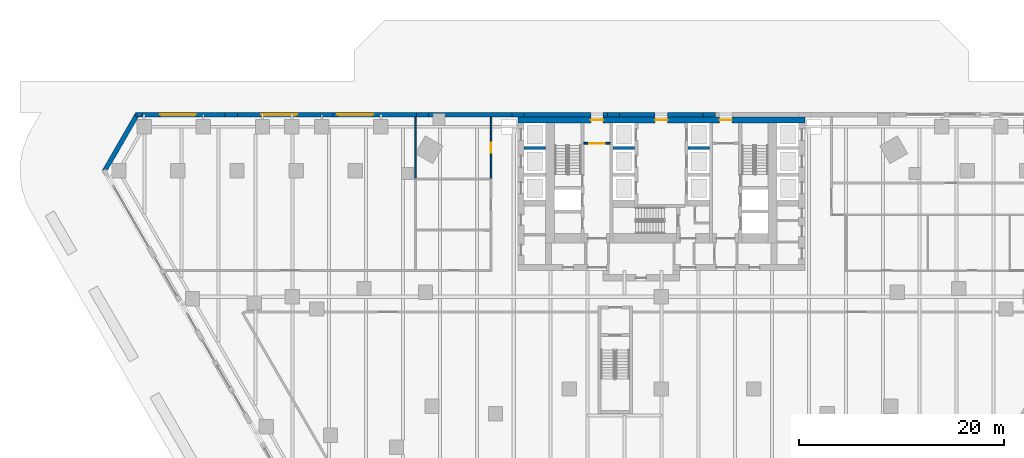
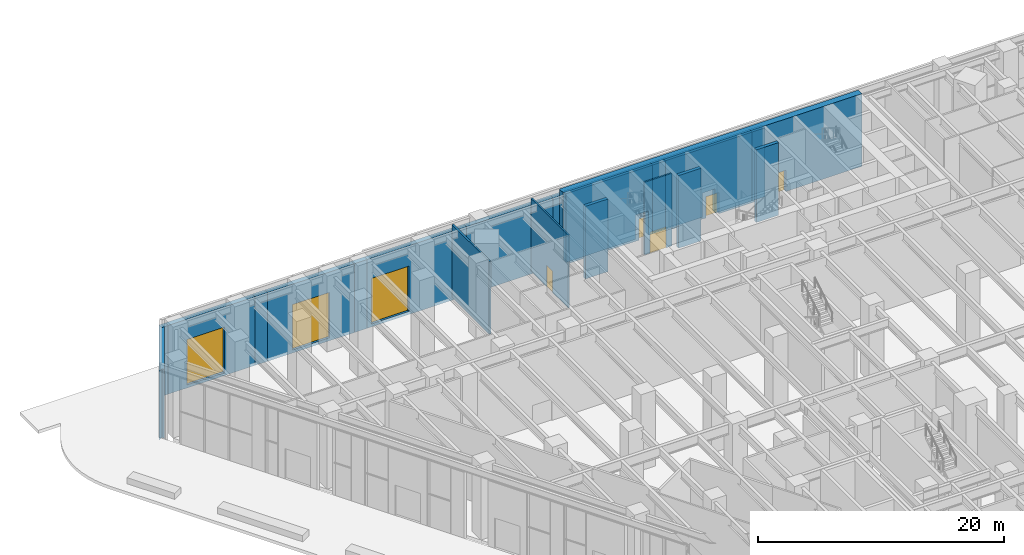
# One storey, part 30 of 37: 21 walls, 8 doors, 8 openings.
"""IFC4 building model written with IfcOpenShell, lengths in metres."""

from ifc_helpers import new_model, si_unit, direction, frame, frame_2d, origin, place, context, subcontext, project, spatial, polyline, rectangle, outline, extrude, material, layer, layer_set, type_object, element, fill, save


model = new_model("IFC4")

# Units and contexts
model_context = context("Model", 3, precision=1e-05, world=origin(), true_north=direction((0.0, 1.0)))
body_context = subcontext(model_context, "Body", "Model", "MODEL_VIEW")
ifc_project = project(units=[si_unit("LENGTHUNIT", "METRE"), si_unit("AREAUNIT", "SQUARE_METRE"), si_unit("VOLUMEUNIT", "CUBIC_METRE"), si_unit("PLANEANGLEUNIT", "RADIAN"), si_unit("MASSUNIT", "GRAM", prefix="KILO")], contexts=[model_context])

# Site, building, storey
site_placement = place(None, origin())
site = spatial("IfcSite", under=ifc_project, at=site_placement, CompositionType="ELEMENT")
building_placement = place(site_placement, origin())
building = spatial("IfcBuilding", under=site, at=building_placement, Name="Aloe Facet Convention Tower", CompositionType="ELEMENT")
storey_placement = place(building_placement, origin())
storey = spatial("IfcBuildingStorey", under=building, at=storey_placement, Name="L00", CompositionType="ELEMENT", Elevation=0.0)

# Wall, opening, door
ifc_material_1 = material(Name="Concrete blockwork partition", Category="masonry")
ifc_layer_1 = layer(ifc_material_1, 0.14990234375)
ifc_layer_set_1 = layer_set([ifc_layer_1], Name="CR-W-PART150")
wall_type_1 = type_object("IfcWallType", Name="CR-W-PART150", PredefinedType="PARTITIONING", material=ifc_layer_set_1)
wall_1_placement = place(storey_placement, frame((72.449951171875, 131.97509765625, 0.0), z_axis=(0.0, 0.0, 1.0), x_axis=(1.0, 0.0, 0.0)))
wall_1 = element("IfcWall", 1, at=wall_1_placement, inside=storey, type_object=wall_type_1, Name="Core partition L00-014", PredefinedType="PARTITIONING", context=body_context, shape_type="SweptSolid", body=[
    extrude(rectangle(XDim=2.550048828125, YDim=0.14990234375, at=frame_2d((1.27490234375, 0.0))), origin(), (0.0, 0.0, 1.0), 7.199951171875),
])
opening_1_placement = place(wall_1_placement, frame((0.52490234375, 0.0, 0.0)))
opening_1 = element("IfcOpeningElement", 2, at=opening_1_placement, cuts=wall_1, Name="Opening L00-CD22", PredefinedType="OPENING", context=body_context, shape_type="SweptSolid", body=[
    extrude(rectangle(XDim=1.5, YDim=2.10009765625, at=frame_2d((0.75, 1.050048828125))), frame((0.0, 0.0849609375, 0.0), z_axis=(0.0, -1.0, 0.0), x_axis=(1.0, 0.0, 0.0)), (0.0, 0.0, 1.0), 0.169921875),
])
ifc_material_2 = material(Name="Steel fire-resisting door set FD60", Category="steel")
door_type_1 = type_object("IfcDoorType", Name="CR-D-REFUGE-1500-FD60-DD", OperationType="DOUBLE_DOOR_DOUBLE_SWING", PredefinedType="DOOR", material=ifc_material_2)
door_1_placement = place(opening_1_placement, origin())
door_1 = element("IfcDoor", 3, at=door_1_placement, inside=storey, type_object=door_type_1, Name="Core door L00-CD22", OperationType="DOUBLE_DOOR_DOUBLE_SWING", OverallHeight=2.10009765625, OverallWidth=1.5, PredefinedType="DOOR", context=body_context, shape_type="SweptSolid", body=[
    extrude(rectangle(XDim=1.5, YDim=2.10009765625, at=frame_2d((0.75, 1.050048828125))), frame((0.0, 0.02490234375, 0.0), z_axis=(0.0, -1.0, 0.0), x_axis=(1.0, 0.0, 0.0)), (0.0, 0.0, 1.0), 0.050048828125),
])
fill(opening_1, door_1)

# Walls
ifc_material_3 = material(Name="Concrete C80/95", Category="concrete")
ifc_layer_2 = layer(ifc_material_3, 0.300048828125)
ifc_layer_set_2 = layer_set([ifc_layer_2], Name="CR-W-RC300-C8095")
wall_type_2 = type_object("IfcWallType", Name="CR-W-RC300-C8095", PredefinedType="SOLIDWALL", material=ifc_layer_set_2)
for number, where, z_axis, x_axis, name in (
    (4, (66.60009765625, 131.5, 0.0), (0.0, 0.0, 1.0), (1.0, 0.0, 0.0), "Core wall L00-004"),
    (5, (75.300048828125, 131.5, 0.0), (0.0, 0.0, 1.0), (1.0, 0.0, 0.0), "Core wall L00-021"),
    (6, (82.60009765625, 131.5, 0.0), (0.0, 0.0, 1.0), (1.0, 0.0, 0.0), "Core wall L00-033"),
):
    element("IfcWall", number, at=place(storey_placement, frame(where, z_axis=z_axis, x_axis=x_axis)), inside=storey, type_object=wall_type_2, Name=name, PredefinedType="SOLIDWALL", context=body_context, shape_type="SweptSolid", body=[
        extrude(rectangle(XDim=2.099853515625, YDim=0.300048828125, at=frame_2d((1.0498046875, 0.0))), origin(), (0.0, 0.0, 1.0), 7.199951171875),
    ])

# Wall, openings, doors
ifc_material_4 = material(Name="Concrete C80/95", Category="concrete")
ifc_layer_3 = layer(ifc_material_4, 0.60009765625)
ifc_layer_set_3 = layer_set([ifc_layer_3], Name="CR-W-RC600-C8095")
wall_type_3 = type_object("IfcWallType", Name="CR-W-RC600-C8095", PredefinedType="SOLIDWALL", material=ifc_layer_set_3)
wall_2_placement = place(storey_placement, frame((66.0, 134.25, 0.0), z_axis=(0.0, 0.0, 1.0), x_axis=(1.0, 0.0, 0.0)))
wall_2 = element("IfcWall", 7, at=wall_2_placement, inside=storey, type_object=wall_type_3, Name="Core wall L00-001", PredefinedType="SOLIDWALL", context=body_context, shape_type="SweptSolid", body=[
    extrude(rectangle(XDim=28.0, YDim=0.60009765625, at=frame_2d((14.0, 0.0))), origin(), (0.0, 0.0, 1.0), 7.199951171875),
])
opening_2_placement = place(wall_2_placement, frame((7.125, 0.0, 0.0)))
opening_2 = element("IfcOpeningElement", 8, at=opening_2_placement, cuts=wall_2, Name="Opening L00-CD38", PredefinedType="OPENING", context=body_context, shape_type="SweptSolid", body=[
    extrude(rectangle(XDim=1.199951171875, YDim=2.10009765625, at=frame_2d((0.60009765625, 1.050048828125))), frame((0.0, 0.31005859375, 0.0), z_axis=(0.0, -1.0, 0.0), x_axis=(1.0, 0.0, 0.0)), (0.0, 0.0, 1.0), 0.6201171875),
])
opening_3_placement = place(wall_2_placement, frame((19.675048828125, 0.0, 0.0)))
opening_3 = element("IfcOpeningElement", 9, at=opening_3_placement, cuts=wall_2, Name="Opening L00-CD39", PredefinedType="OPENING", context=body_context, shape_type="SweptSolid", body=[
    extrude(rectangle(XDim=1.199951171875, YDim=2.10009765625, at=frame_2d((0.60009765625, 1.050048828125))), frame((0.0, 0.31005859375, 0.0), z_axis=(0.0, -1.0, 0.0), x_axis=(1.0, 0.0, 0.0)), (0.0, 0.0, 1.0), 0.6201171875),
])
opening_4_placement = place(wall_2_placement, frame((13.39990234375, 0.0, 0.0)))
opening_4 = element("IfcOpeningElement", 10, at=opening_4_placement, cuts=wall_2, Name="Opening L00-CD40", PredefinedType="OPENING", context=body_context, shape_type="SweptSolid", body=[
    extrude(rectangle(XDim=1.199951171875, YDim=2.10009765625, at=frame_2d((0.60009765625, 1.050048828125))), frame((0.0, 0.31005859375, 0.0), z_axis=(0.0, -1.0, 0.0), x_axis=(1.0, 0.0, 0.0)), (0.0, 0.0, 1.0), 0.6201171875),
])
ifc_material_5 = material(Name="Steel fire-resisting door set FD60", Category="steel")
door_type_2 = type_object("IfcDoorType", Name="CR-D-EXIT-1200-FD60-SLEFT", OperationType="SINGLE_SWING_LEFT", PredefinedType="DOOR", material=ifc_material_5)
door_2_placement = place(opening_2_placement, origin())
door_2 = element("IfcDoor", 11, at=door_2_placement, inside=storey, type_object=door_type_2, Name="Core door L00-CD38", OperationType="SINGLE_SWING_LEFT", OverallHeight=2.10009765625, OverallWidth=1.199951171875, PredefinedType="DOOR", context=body_context, shape_type="SweptSolid", body=[
    extrude(rectangle(XDim=1.199951171875, YDim=2.10009765625, at=frame_2d((0.60009765625, 1.050048828125))), frame((0.0, 0.02490234375, 0.0), z_axis=(0.0, -1.0, 0.0), x_axis=(1.0, 0.0, 0.0)), (0.0, 0.0, 1.0), 0.050048828125),
])
fill(opening_2, door_2)
door_3_placement = place(opening_3_placement, origin())
door_3 = element("IfcDoor", 12, at=door_3_placement, inside=storey, type_object=door_type_2, Name="Core door L00-CD39", OperationType="SINGLE_SWING_LEFT", OverallHeight=2.10009765625, OverallWidth=1.199951171875, PredefinedType="DOOR", context=body_context, shape_type="SweptSolid", body=[
    extrude(rectangle(XDim=1.199951171875, YDim=2.10009765625, at=frame_2d((0.60009765625, 1.050048828125))), frame((0.0, 0.02490234375, 0.0), z_axis=(0.0, -1.0, 0.0), x_axis=(1.0, 0.0, 0.0)), (0.0, 0.0, 1.0), 0.050048828125),
])
fill(opening_3, door_3)
door_4_placement = place(opening_4_placement, origin())
door_4 = element("IfcDoor", 13, at=door_4_placement, inside=storey, type_object=door_type_2, Name="Core door L00-CD40", OperationType="SINGLE_SWING_LEFT", OverallHeight=2.10009765625, OverallWidth=1.199951171875, PredefinedType="DOOR", context=body_context, shape_type="SweptSolid", body=[
    extrude(rectangle(XDim=1.199951171875, YDim=2.10009765625, at=frame_2d((0.60009765625, 1.050048828125))), frame((0.0, 0.02490234375, 0.0), z_axis=(0.0, -1.0, 0.0), x_axis=(1.0, 0.0, 0.0)), (0.0, 0.0, 1.0), 0.050048828125),
])
fill(opening_4, door_4)

# Walls
ifc_material_6 = material(Name="Precast concrete C40/50", Category="concrete")
ifc_layer_4 = layer(ifc_material_6, 0.449951171875)
ifc_layer_set_4 = layer_set([ifc_layer_4], Name="EV-WALL-PIER")
wall_type_4 = type_object("IfcWallType", Name="EV-WALL-PIER", PredefinedType="SOLIDWALL", material=ifc_layer_set_4)
wall_3_placement = place(storey_placement, frame((0.0, 0.0, -0.300048828125)))
element("IfcWall", 14, at=wall_3_placement, inside=storey, type_object=wall_type_4, Name="EP-L00-A", PredefinedType="SOLIDWALL", context=body_context, shape_type="SweptSolid", body=[
    extrude(outline(polyline([(28.732421875, 135.0), (28.732421875, 134.550048828125), (28.9921875, 134.550048828125), (25.9521484375, 129.2841796875), (25.822265625, 129.50927734375), (25.432373046875, 129.2841796875), (28.732421875, 135.0)])), origin(), (0.0, 0.0, 1.0), 6.8125),
])
ifc_material_7 = material(Name="Precast concrete C40/50", Category="concrete")
ifc_layer_5 = layer(ifc_material_7, 0.449951171875)
ifc_layer_set_5 = layer_set([ifc_layer_5], Name="EV-WALL-STONE")
wall_type_5 = type_object("IfcWallType", Name="EV-WALL-STONE", PredefinedType="SOLIDWALL", material=ifc_layer_set_5)
wall_4_placement = place(storey_placement, frame((85.2607421875, 134.77490234375, -0.300048828125), z_axis=(0.0, 0.0, 1.0), x_axis=(-1.0, 0.0, 0.0)))
element("IfcWall", 15, at=wall_4_placement, inside=storey, type_object=wall_type_5, Name="PW-L00-N11", PredefinedType="SOLIDWALL", context=body_context, shape_type="SweptSolid", body=[
    extrude(rectangle(XDim=1.199951171875, YDim=0.449951171875, at=frame_2d((0.60009765625, 0.0))), origin(), (0.0, 0.0, 1.0), 6.8125),
])
wall_5_placement = place(storey_placement, frame((84.060791015625, 134.77490234375, -0.300048828125), z_axis=(0.0, 0.0, 1.0), x_axis=(-1.0, 0.0, 0.0)))
element("IfcWall", 16, at=wall_5_placement, inside=storey, type_object=wall_type_5, Name="PW-L00-N12", PredefinedType="SOLIDWALL", context=body_context, shape_type="SweptSolid", body=[
    extrude(outline(polyline([(0.0, 0.0), (3.460693359375, 0.0), (3.460693359375, 2.400146484375), (4.66064453125, 2.400146484375), (4.66064453125, 0.0), (8.121337890625, 0.0), (8.121337890625, 6.8125), (0.0, 6.8125), (0.0, 0.0)])), frame((0.0, 0.22509765625, 0.0), z_axis=(0.0, -1.0, 0.0), x_axis=(1.0, 0.0, 0.0)), (0.0, 0.0, 1.0), 0.449951171875),
])
wall_6_placement = place(storey_placement, frame((75.939208984375, 134.77490234375, -0.300048828125), z_axis=(0.0, 0.0, 1.0), x_axis=(-1.0, 0.0, 0.0)))
element("IfcWall", 17, at=wall_6_placement, inside=storey, type_object=wall_type_5, Name="PW-L00-N13", PredefinedType="SOLIDWALL", context=body_context, shape_type="SweptSolid", body=[
    extrude(rectangle(XDim=1.199951171875, YDim=0.449951171875, at=frame_2d((0.60009765625, 0.0))), origin(), (0.0, 0.0, 1.0), 6.8125),
])
wall_7_placement = place(storey_placement, frame((74.7392578125, 134.77490234375, -0.300048828125), z_axis=(0.0, 0.0, 1.0), x_axis=(-1.0, 0.0, 0.0)))
element("IfcWall", 18, at=wall_7_placement, inside=storey, type_object=wall_type_5, Name="PW-L00-N14", PredefinedType="SOLIDWALL", context=body_context, shape_type="SweptSolid", body=[
    extrude(outline(polyline([(0.0, 0.0), (0.414306640625, 0.0), (0.414306640625, 2.400146484375), (1.6142578125, 2.400146484375), (1.6142578125, 0.0), (8.121337890625, 0.0), (8.121337890625, 6.8125), (0.0, 6.8125), (0.0, 0.0)])), frame((0.0, 0.22509765625, 0.0), z_axis=(0.0, -1.0, 0.0), x_axis=(1.0, 0.0, 0.0)), (0.0, 0.0, 1.0), 0.449951171875),
])
wall_8_placement = place(storey_placement, frame((66.617919921875, 134.77490234375, -0.300048828125), z_axis=(0.0, 0.0, 1.0), x_axis=(-1.0, 0.0, 0.0)))
element("IfcWall", 19, at=wall_8_placement, inside=storey, type_object=wall_type_5, Name="PW-L00-N15", PredefinedType="SOLIDWALL", context=body_context, shape_type="SweptSolid", body=[
    extrude(rectangle(XDim=1.199951171875, YDim=0.449951171875, at=frame_2d((0.60009765625, 0.0))), origin(), (0.0, 0.0, 1.0), 6.8125),
])
wall_9_placement = place(storey_placement, frame((65.41796875, 134.77490234375, -0.300048828125), z_axis=(0.0, 0.0, 1.0), x_axis=(-1.0, 0.0, 0.0)))
element("IfcWall", 20, at=wall_9_placement, inside=storey, type_object=wall_type_5, Name="PW-L00-N16", PredefinedType="SOLIDWALL", context=body_context, shape_type="SweptSolid", body=[
    extrude(rectangle(XDim=8.121337890625, YDim=0.449951171875, at=frame_2d((4.060546875, 0.0))), origin(), (0.0, 0.0, 1.0), 6.8125),
])
wall_10_placement = place(storey_placement, frame((57.296630859375, 134.77490234375, -0.300048828125), z_axis=(0.0, 0.0, 1.0), x_axis=(-1.0, 0.0, 0.0)))
element("IfcWall", 21, at=wall_10_placement, inside=storey, type_object=wall_type_5, Name="PW-L00-N17", PredefinedType="SOLIDWALL", context=body_context, shape_type="SweptSolid", body=[
    extrude(rectangle(XDim=1.199951171875, YDim=0.449951171875, at=frame_2d((0.60009765625, 0.0))), origin(), (0.0, 0.0, 1.0), 6.8125),
])

# Wall, opening, door
wall_11_placement = place(storey_placement, frame((56.0966796875, 134.77490234375, -0.300048828125), z_axis=(0.0, 0.0, 1.0), x_axis=(-1.0, 0.0, 0.0)))
wall_11 = element("IfcWall", 22, at=wall_11_placement, inside=storey, type_object=wall_type_5, Name="PW-L00-N18", PredefinedType="SOLIDWALL", context=body_context, shape_type="SweptSolid", body=[
    extrude(rectangle(XDim=8.12158203125, YDim=0.449951171875, at=frame_2d((4.060791015625, 0.0))), origin(), (0.0, 0.0, 1.0), 6.8125),
])
opening_5_placement = place(wall_11_placement, frame((4.210693359375, 0.0, 0.300048828125)))
opening_5 = element("IfcOpeningElement", 23, at=opening_5_placement, cuts=wall_11, Name="Opening D-L00-N18", PredefinedType="OPENING", context=body_context, shape_type="SweptSolid", body=[
    extrude(rectangle(XDim=3.5, YDim=4.5, at=frame_2d((1.75, 2.25))), frame((0.0, 0.23486328125, 0.0), z_axis=(0.0, -1.0, 0.0), x_axis=(1.0, 0.0, 0.0)), (0.0, 0.0, 1.0), 0.469970703125),
])
ifc_material_8 = material(Name="Steel S355 roller shutter, galvanised", Category="steel")
door_type_3 = type_object("IfcDoorType", Name="EV-DOOR-DOCK", OperationType="ROLLINGUP", PredefinedType="DOOR", material=ifc_material_8)
door_5_placement = place(opening_5_placement, origin())
door_5 = element("IfcDoor", 24, at=door_5_placement, inside=storey, type_object=door_type_3, Name="D-L00-N18", OperationType="ROLLINGUP", OverallHeight=4.5, OverallWidth=3.5, PredefinedType="DOOR", context=body_context, shape_type="SweptSolid", body=[
    extrude(rectangle(XDim=3.5, YDim=4.5, at=frame_2d((1.75, 2.25))), frame((0.0, 0.02490234375, 0.0), z_axis=(0.0, -1.0, 0.0), x_axis=(1.0, 0.0, 0.0)), (0.0, 0.0, 1.0), 0.050048828125),
])
fill(opening_5, door_5)

# Wall
wall_12_placement = place(storey_placement, frame((47.97509765625, 134.77490234375, -0.300048828125), z_axis=(0.0, 0.0, 1.0), x_axis=(-1.0, 0.0, 0.0)))
element("IfcWall", 25, at=wall_12_placement, inside=storey, type_object=wall_type_5, Name="PW-L00-N19", PredefinedType="SOLIDWALL", context=body_context, shape_type="SweptSolid", body=[
    extrude(rectangle(XDim=1.199951171875, YDim=0.449951171875, at=frame_2d((0.60009765625, 0.0))), origin(), (0.0, 0.0, 1.0), 6.8125),
])

# Wall, opening, door
wall_13_placement = place(storey_placement, frame((38.65380859375, 134.77490234375, -0.300048828125), z_axis=(0.0, 0.0, 1.0), x_axis=(1.0, 0.0, 0.0)))
wall_13 = element("IfcWall", 26, at=wall_13_placement, inside=storey, type_object=wall_type_5, Name="PW-L00-N20", PredefinedType="SOLIDWALL", context=body_context, shape_type="SweptSolid", body=[
    extrude(rectangle(XDim=8.121337890625, YDim=0.449951171875, at=frame_2d((4.060546875, 0.0))), origin(), (0.0, 0.0, 1.0), 6.8125),
])
opening_6_placement = place(wall_13_placement, frame((2.310791015625, 0.0, 0.300048828125)))
opening_6 = element("IfcOpeningElement", 27, at=opening_6_placement, cuts=wall_13, Name="Opening D-L00-N20", PredefinedType="OPENING", context=body_context, shape_type="SweptSolid", body=[
    extrude(rectangle(XDim=3.5, YDim=4.5, at=frame_2d((1.75, 2.25))), frame((0.0, 0.23486328125, 0.0), z_axis=(0.0, -1.0, 0.0), x_axis=(1.0, 0.0, 0.0)), (0.0, 0.0, 1.0), 0.469970703125),
])
door_6_placement = place(opening_6_placement, origin())
door_6 = element("IfcDoor", 28, at=door_6_placement, inside=storey, type_object=door_type_3, Name="D-L00-N20", OperationType="ROLLINGUP", OverallHeight=4.5, OverallWidth=3.5, PredefinedType="DOOR", context=body_context, shape_type="SweptSolid", body=[
    extrude(rectangle(XDim=3.5, YDim=4.5, at=frame_2d((1.75, 2.25))), frame((0.0, 0.02490234375, 0.0), z_axis=(0.0, -1.0, 0.0), x_axis=(1.0, 0.0, 0.0)), (0.0, 0.0, 1.0), 0.050048828125),
])
fill(opening_6, door_6)

# Wall
wall_14_placement = place(storey_placement, frame((38.65380859375, 134.77490234375, -0.300048828125), z_axis=(0.0, 0.0, 1.0), x_axis=(-1.0, 0.0, 0.0)))
element("IfcWall", 29, at=wall_14_placement, inside=storey, type_object=wall_type_5, Name="PW-L00-N21", PredefinedType="SOLIDWALL", context=body_context, shape_type="SweptSolid", body=[
    extrude(rectangle(XDim=1.199951171875, YDim=0.449951171875, at=frame_2d((0.60009765625, 0.0))), origin(), (0.0, 0.0, 1.0), 6.8125),
])

# Wall, opening, door
wall_15_placement = place(storey_placement, frame((37.453857421875, 134.77490234375, -0.300048828125), z_axis=(0.0, 0.0, 1.0), x_axis=(-1.0, 0.0, 0.0)))
wall_15 = element("IfcWall", 30, at=wall_15_placement, inside=storey, type_object=wall_type_5, Name="PW-L00-N22", PredefinedType="SOLIDWALL", context=body_context, shape_type="SweptSolid", body=[
    extrude(rectangle(XDim=8.121337890625, YDim=0.449951171875, at=frame_2d((4.060546875, 0.0))), origin(), (0.0, 0.0, 1.0), 6.8125),
])
opening_7_placement = place(wall_15_placement, frame((2.860595703125, 0.0, 0.300048828125)))
opening_7 = element("IfcOpeningElement", 31, at=opening_7_placement, cuts=wall_15, Name="Opening D-L00-N22", PredefinedType="OPENING", context=body_context, shape_type="SweptSolid", body=[
    extrude(rectangle(XDim=3.5, YDim=4.5, at=frame_2d((1.75, 2.25))), frame((0.0, 0.23486328125, 0.0), z_axis=(0.0, -1.0, 0.0), x_axis=(1.0, 0.0, 0.0)), (0.0, 0.0, 1.0), 0.469970703125),
])
door_7_placement = place(opening_7_placement, origin())
door_7 = element("IfcDoor", 32, at=door_7_placement, inside=storey, type_object=door_type_3, Name="D-L00-N22", OperationType="ROLLINGUP", OverallHeight=4.5, OverallWidth=3.5, PredefinedType="DOOR", context=body_context, shape_type="SweptSolid", body=[
    extrude(rectangle(XDim=3.5, YDim=4.5, at=frame_2d((1.75, 2.25))), frame((0.0, 0.02490234375, 0.0), z_axis=(0.0, -1.0, 0.0), x_axis=(1.0, 0.0, 0.0)), (0.0, 0.0, 1.0), 0.050048828125),
])
fill(opening_7, door_7)

# Wall
wall_16_placement = place(storey_placement, frame((29.33251953125, 134.77490234375, -0.300048828125), z_axis=(0.0, 0.0, 1.0), x_axis=(-1.0, 0.0, 0.0)))
element("IfcWall", 33, at=wall_16_placement, inside=storey, type_object=wall_type_5, Name="PW-L00-N23", PredefinedType="SOLIDWALL", context=body_context, shape_type="SweptSolid", body=[
    extrude(rectangle(XDim=0.60009765625, YDim=0.449951171875, at=frame_2d((0.300048828125, 0.0))), origin(), (0.0, 0.0, 1.0), 6.8125),
])

# Wall, opening, door
ifc_material_9 = material(Name="Gypsum board partition on steel studs, double layer", Category="steel")
ifc_layer_6 = layer(ifc_material_9, 0.14990234375)
ifc_layer_set_6 = layer_set([ifc_layer_6], Name="IN-POD-W-CORR")
wall_type_6 = type_object("IfcWallType", Name="IN-POD-W-CORR", PredefinedType="PARTITIONING", material=ifc_layer_set_6)
wall_17_placement = place(storey_placement, frame((63.39990234375, 128.510009765625, 0.0), z_axis=(0.0, 0.0, 1.0), x_axis=(0.0, 1.0, 0.0)))
wall_17 = element("IfcWall", 34, at=wall_17_placement, inside=storey, type_object=wall_type_6, Name="Partition L00-W069", PredefinedType="PARTITIONING", context=body_context, shape_type="SweptSolid", body=[
    extrude(rectangle(XDim=6.0400390625, YDim=0.14990234375, at=frame_2d((3.02001953125, 0.0))), origin(), (0.0, 0.0, 1.0), 7.199951171875),
])
opening_8_placement = place(wall_17_placement, frame((2.52001953125, 0.0, 0.0)))
opening_8 = element("IfcOpeningElement", 35, at=opening_8_placement, cuts=wall_17, Name="Opening L00-004", PredefinedType="OPENING", context=body_context, shape_type="SweptSolid", body=[
    extrude(rectangle(XDim=1.0, YDim=2.10009765625, at=frame_2d((0.5, 1.050048828125))), frame((0.0, 0.0849609375, 0.0), z_axis=(0.0, -1.0, 0.0), x_axis=(1.0, 0.0, 0.0)), (0.0, 0.0, 1.0), 0.169921875),
])
ifc_material_10 = material(Name="Hardwood flush door", Category="wood")
door_type_4 = type_object("IfcDoorType", Name="IN-POD-D-WIDE", OperationType="SINGLE_SWING_LEFT", PredefinedType="DOOR", material=ifc_material_10)
door_8_placement = place(opening_8_placement, origin())
door_8 = element("IfcDoor", 36, at=door_8_placement, inside=storey, type_object=door_type_4, Name="Door L00-004", OperationType="SINGLE_SWING_LEFT", OverallHeight=2.10009765625, OverallWidth=1.0, PredefinedType="DOOR", context=body_context, shape_type="SweptSolid", body=[
    extrude(rectangle(XDim=1.0, YDim=2.10009765625, at=frame_2d((0.5, 1.050048828125))), frame((0.0, 0.02490234375, 0.0), z_axis=(0.0, -1.0, 0.0), x_axis=(1.0, 0.0, 0.0)), (0.0, 0.0, 1.0), 0.050048828125),
])
fill(opening_8, door_8)

# Wall
wall_18_placement = place(storey_placement, frame((56.0, 128.5, 0.0), z_axis=(0.0, 0.0, 1.0), x_axis=(0.0, 1.0, 0.0)))
element("IfcWall", 37, at=wall_18_placement, inside=storey, type_object=wall_type_6, Name="Partition L00-W070", PredefinedType="PARTITIONING", context=body_context, shape_type="SweptSolid", body=[
    extrude(rectangle(XDim=6.050048828125, YDim=0.14990234375, at=frame_2d((3.02490234375, 0.0))), origin(), (0.0, 0.0, 1.0), 7.199951171875),
])

save(model, "model.ifc")
